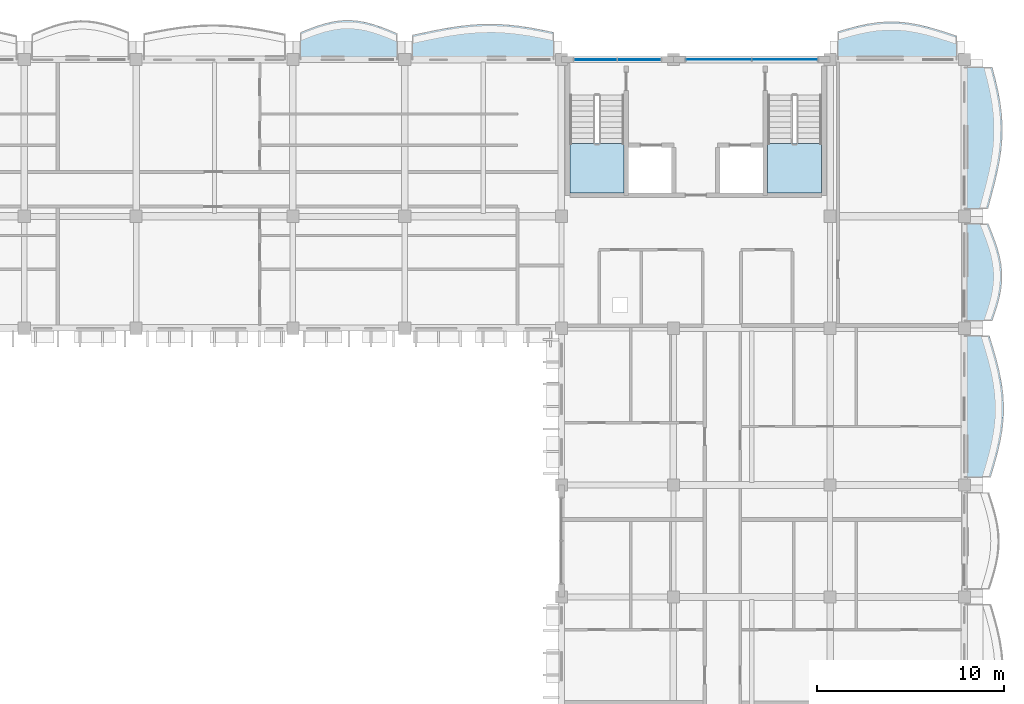
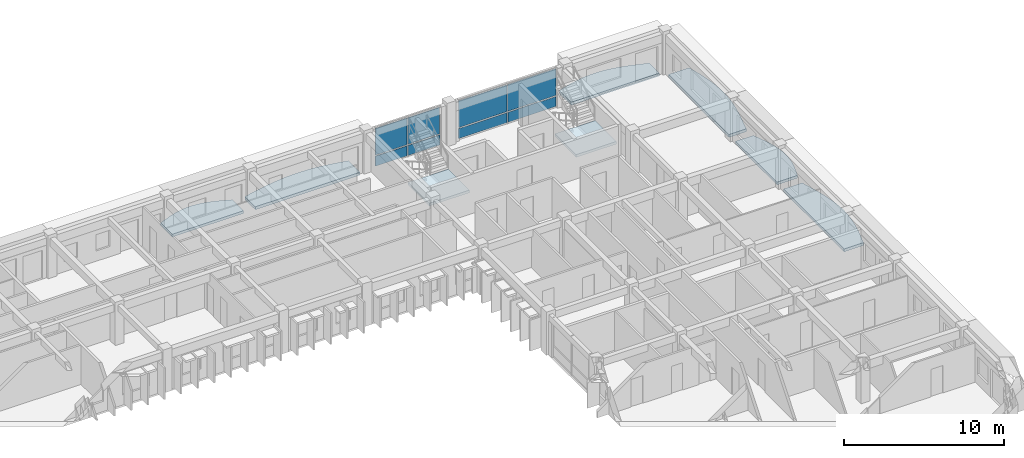
# One storey, part 22 of 76: 8 plates, 8 slabs, 4 elements without a shape of their own.
"""IFC4 building model written with IfcOpenShell, lengths in metres."""

from ifc_helpers import new_model, si_unit, direction, frame, origin, origin_2d, place, context, subcontext, project, spatial, polyline, rectangle, outline, extrude, material, layer, layer_set, type_object, element, aggregate, save


model = new_model("IFC4")

# Units and contexts
model_context = context("Model", 3, precision=1e-05, world=origin(), true_north=direction((0.0, 1.0)))
body_context = subcontext(model_context, "Body", "Model", "MODEL_VIEW")
ifc_project = project(units=[si_unit("LENGTHUNIT", "METRE"), si_unit("AREAUNIT", "SQUARE_METRE"), si_unit("VOLUMEUNIT", "CUBIC_METRE"), si_unit("PLANEANGLEUNIT", "RADIAN"), si_unit("MASSUNIT", "GRAM", prefix="KILO"), si_unit("THERMODYNAMICTEMPERATUREUNIT", "KELVIN")], contexts=[model_context])

# Site, building, storey
site_placement = place(None, origin())
site = spatial("IfcSite", under=ifc_project, at=site_placement, CompositionType="ELEMENT")
building_placement = place(site_placement, origin())
building = spatial("IfcBuilding", under=site, at=building_placement, Name="Thalorik Housing Commons", CompositionType="ELEMENT")
storey_placement = place(building_placement, frame((0.0, 0.0, 18.0)))
storey = spatial("IfcBuildingStorey", under=building, at=storey_placement, Name="L05", CompositionType="ELEMENT", Elevation=18.0)

# Curtain wall, plates
ifc_material_1 = material(Name="Anodised aluminium and solar-control low-E glass", Category="aluminium")
curtain_wall_type = type_object("IfcCurtainWallType", Name="ARC-CW-CORE", PredefinedType="USERDEFINED", material=ifc_material_1)
curtain_wall_1_placement = place(storey_placement, origin())
curtain_wall_1 = element("IfcCurtainWall", 1, at=curtain_wall_1_placement, inside=storey, type_object=curtain_wall_type, Name="L05 Curtain Wall CW-CORE-L05-B-092", ObjectType="CURTAIN WALL", PredefinedType="USERDEFINED")
ifc_material_2 = material(Name="Cobalt blue enamelled aluminium spandrel panel", Category="aluminium")
ifc_layer_1 = layer(ifc_material_2, 0.0458984375, Name="Cobalt blue enamelled aluminium spandrel panel", Category="aluminium")
ifc_layer_set_1 = layer_set([ifc_layer_1], Name="Cobalt blue enamelled aluminium spandrel panel")
plate_type_1 = type_object("IfcPlateType", Name="ARC-CP-BLU-46", PredefinedType="CURTAIN_PANEL", material=ifc_layer_set_1)
plate_1_placement = place(storey_placement, frame((164.375, 123.60009765625, 0.080078125), z_axis=(0.0, 0.0, 1.0), x_axis=(-1.0, 0.0, 0.0)))
plate_1 = element("IfcPlate", 2, at=plate_1_placement, type_object=plate_type_1, Name="CW-CORE-L05-B-092 Spandrel Panel 1", PredefinedType="CURTAIN_PANEL", context=body_context, shape_type="SweptSolid", body=[
    extrude(rectangle(XDim=3.489990234375, YDim=0.0458984375, at=origin_2d()), origin(), (0.0, 0.0, 1.0), 0.760009765625),
])
plate_2_placement = place(storey_placement, frame((160.824951171875, 123.60009765625, 0.080078125), z_axis=(0.0, 0.0, 1.0), x_axis=(-1.0, 0.0, 0.0)))
plate_2 = element("IfcPlate", 3, at=plate_2_placement, type_object=plate_type_1, Name="CW-CORE-L05-B-092 Spandrel Panel 2", PredefinedType="CURTAIN_PANEL", context=body_context, shape_type="SweptSolid", body=[
    extrude(rectangle(XDim=3.489990234375, YDim=0.0458984375, at=origin_2d()), origin(), (0.0, 0.0, 1.0), 0.760009765625),
])
ifc_material_3 = material(Name="Double solar-control low-E glass", Category="glass")
ifc_layer_2 = layer(ifc_material_3, 0.028076171875, Name="Double solar-control low-E glass", Category="glass")
ifc_layer_set_2 = layer_set([ifc_layer_2], Name="Double solar-control low-E glass")
plate_type_2 = type_object("IfcPlateType", Name="ARC-CP-GLZ-28", PredefinedType="CURTAIN_PANEL", material=ifc_layer_set_2)
plate_3_placement = place(storey_placement, frame((164.375, 123.60009765625, 0.919921875), z_axis=(0.0, 0.0, 1.0), x_axis=(-1.0, 0.0, 0.0)))
plate_3 = element("IfcPlate", 4, at=plate_3_placement, type_object=plate_type_2, Name="CW-CORE-L05-B-092 Vision Panel 1", PredefinedType="CURTAIN_PANEL", context=body_context, shape_type="SweptSolid", body=[
    extrude(rectangle(XDim=3.489990234375, YDim=0.028076171875, at=origin_2d()), origin(), (0.0, 0.0, 1.0), 2.0400390625),
])
plate_4_placement = place(storey_placement, frame((160.824951171875, 123.60009765625, 0.919921875), z_axis=(0.0, 0.0, 1.0), x_axis=(-1.0, 0.0, 0.0)))
plate_4 = element("IfcPlate", 5, at=plate_4_placement, type_object=plate_type_2, Name="CW-CORE-L05-B-092 Vision Panel 2", PredefinedType="CURTAIN_PANEL", context=body_context, shape_type="SweptSolid", body=[
    extrude(rectangle(XDim=3.489990234375, YDim=0.028076171875, at=origin_2d()), origin(), (0.0, 0.0, 1.0), 2.0400390625),
])
aggregate(curtain_wall_1, [plate_1, plate_3, plate_2, plate_4])

curtain_wall_2_placement = place(storey_placement, origin())
curtain_wall_2 = element("IfcCurtainWall", 6, at=curtain_wall_2_placement, inside=storey, type_object=curtain_wall_type, Name="L05 Curtain Wall CW-CORE-L05-B-093", ObjectType="CURTAIN WALL", PredefinedType="USERDEFINED")
plate_5_placement = place(storey_placement, frame((156.574951171875, 123.60009765625, 0.919921875), z_axis=(0.0, 0.0, 1.0), x_axis=(-1.0, 0.0, 0.0)))
plate_5 = element("IfcPlate", 7, at=plate_5_placement, type_object=plate_type_2, Name="CW-CORE-L05-B-093 Vision Panel 1", PredefinedType="CURTAIN_PANEL", context=body_context, shape_type="SweptSolid", body=[
    extrude(rectangle(XDim=2.2900390625, YDim=0.028076171875, at=origin_2d()), origin(), (0.0, 0.0, 1.0), 2.0400390625),
])
plate_6_placement = place(storey_placement, frame((154.22509765625, 123.60009765625, 0.919921875), z_axis=(0.0, 0.0, 1.0), x_axis=(-1.0, 0.0, 0.0)))
plate_6 = element("IfcPlate", 8, at=plate_6_placement, type_object=plate_type_2, Name="CW-CORE-L05-B-093 Vision Panel 2", PredefinedType="CURTAIN_PANEL", context=body_context, shape_type="SweptSolid", body=[
    extrude(rectangle(XDim=2.2900390625, YDim=0.028076171875, at=origin_2d()), origin(), (0.0, 0.0, 1.0), 2.0400390625),
])
ifc_material_4 = material(Name="Mineral ochre yellow aluminium spandrel panel", Category="aluminium")
ifc_layer_3 = layer(ifc_material_4, 0.050048828125, Name="Mineral ochre yellow aluminium spandrel panel", Category="aluminium")
ifc_layer_set_3 = layer_set([ifc_layer_3], Name="Mineral ochre yellow aluminium spandrel panel")
plate_type_3 = type_object("IfcPlateType", Name="ARC-CP-YEL-50", PredefinedType="CURTAIN_PANEL", material=ifc_layer_set_3)
plate_7_placement = place(storey_placement, frame((156.574951171875, 123.60009765625, 0.080078125), z_axis=(0.0, 0.0, 1.0), x_axis=(-1.0, 0.0, 0.0)))
plate_7 = element("IfcPlate", 9, at=plate_7_placement, type_object=plate_type_3, Name="CW-CORE-L05-B-093 Spandrel Panel 1", PredefinedType="CURTAIN_PANEL", context=body_context, shape_type="SweptSolid", body=[
    extrude(rectangle(XDim=2.2900390625, YDim=0.050048828125, at=origin_2d()), origin(), (0.0, 0.0, 1.0), 0.760009765625),
])
plate_8_placement = place(storey_placement, frame((154.22509765625, 123.60009765625, 0.080078125), z_axis=(0.0, 0.0, 1.0), x_axis=(-1.0, 0.0, 0.0)))
plate_8 = element("IfcPlate", 10, at=plate_8_placement, type_object=plate_type_3, Name="CW-CORE-L05-B-093 Spandrel Panel 2", PredefinedType="CURTAIN_PANEL", context=body_context, shape_type="SweptSolid", body=[
    extrude(rectangle(XDim=2.2900390625, YDim=0.050048828125, at=origin_2d()), origin(), (0.0, 0.0, 1.0), 0.760009765625),
])
aggregate(curtain_wall_2, [plate_7, plate_5, plate_8, plate_6])

# Stair, slab
ifc_material_5 = material(Name="Precast concrete C40/50", Category="concrete")
stair_type = type_object("IfcStairType", Name="ARC-STR-1350-R20", PredefinedType="HALF_TURN_STAIR", material=ifc_material_5)
stair_1_placement = place(storey_placement, origin())
stair_1 = element("IfcStair", 11, at=stair_1_placement, inside=storey, type_object=stair_type, Name="L05 Block B Smoke-Proof Stair 1", PredefinedType="HALF_TURN_STAIR")
ifc_layer_4 = layer(ifc_material_5, 0.199951171875, Name="Precast concrete C40/50", Category="concrete")
ifc_layer_set_4 = layer_set([ifc_layer_4], Name="Precast concrete C40/50")
slab_type_1 = type_object("IfcSlabType", Name="ARC-SLB-STLND-200", PredefinedType="LANDING", material=ifc_layer_set_4)
slab_1_placement = place(storey_placement, frame((0.0, 0.0, 1.449951171875)))
slab_1 = element("IfcSlab", 12, at=slab_1_placement, type_object=slab_type_1, Name="ST-B1 landing 1", PredefinedType="LANDING", context=body_context, shape_type="SweptSolid", body=[
    extrude(outline(polyline([(152.85009765625, 119.090087890625), (152.85009765625, 116.449951171875), (155.75, 116.449951171875), (155.75, 119.090087890625), (152.85009765625, 119.090087890625)])), origin(), (0.0, 0.0, 1.0), 0.199951171875),
])
aggregate(stair_1, [slab_1])

stair_2_placement = place(storey_placement, origin())
stair_2 = element("IfcStair", 13, at=stair_2_placement, inside=storey, type_object=stair_type, Name="L05 Block B Smoke-Proof Stair 2", PredefinedType="HALF_TURN_STAIR")
slab_2_placement = place(storey_placement, frame((0.0, 0.0, 1.449951171875)))
slab_2 = element("IfcSlab", 14, at=slab_2_placement, type_object=slab_type_1, Name="ST-B2 landing 1", PredefinedType="LANDING", context=body_context, shape_type="SweptSolid", body=[
    extrude(outline(polyline([(163.449951171875, 119.090087890625), (163.449951171875, 116.449951171875), (166.35009765625, 116.449951171875), (166.35009765625, 119.090087890625), (163.449951171875, 119.090087890625)])), origin(), (0.0, 0.0, 1.0), 0.199951171875),
])
aggregate(stair_2, [slab_2])

# Slabs
ifc_layer_5 = layer(ifc_material_5, 0.199951171875, Name="Precast concrete C40/50", Category="concrete")
ifc_layer_set_5 = layer_set([ifc_layer_5], Name="Precast concrete C40/50")
slab_type_2 = type_object("IfcSlabType", Name="STR-SLB-BALC-200", PredefinedType="FLOOR", material=ifc_layer_set_5)
slab_3_placement = place(storey_placement, frame((0.0, 0.0, -0.199951171875)))
element("IfcSlab", 15, at=slab_3_placement, inside=storey, type_object=slab_type_2, Name="L05 Block B Cushion Balcony 160", PredefinedType="FLOOR", context=body_context, shape_type="SweptSolid", body=[
    extrude(outline(polyline([(138.419921875, 123.60009765625), (143.580078125, 123.60009765625), (143.580078125, 124.99072265625), (143.14990234375, 125.17041015625), (142.719970703125, 125.338134765625), (142.2900390625, 125.482421875), (141.860107421875, 125.5947265625), (141.429931640625, 125.667236328125), (141.0, 125.69580078125), (140.570068359375, 125.6787109375), (140.139892578125, 125.6171875), (139.7099609375, 125.515380859375), (139.280029296875, 125.380126953125), (138.85009765625, 125.22021484375), (138.419921875, 125.04638671875), (138.419921875, 123.60009765625)])), origin(), (0.0, 0.0, 1.0), 0.199951171875),
])
slab_4_placement = place(storey_placement, frame((0.0, 0.0, -0.199951171875)))
element("IfcSlab", 16, at=slab_4_placement, inside=storey, type_object=slab_type_2, Name="L05 Block B Cushion Balcony 163", PredefinedType="FLOOR", context=body_context, shape_type="SweptSolid", body=[
    extrude(outline(polyline([(175.482177734375, 109.6201171875), (175.631591796875, 110.050048828125), (175.766845703125, 110.47998046875), (175.877685546875, 110.909912109375), (175.956787109375, 111.340087890625), (175.997314453125, 111.77001953125), (175.99658203125, 112.199951171875), (175.953369140625, 112.6298828125), (175.8701171875, 113.06005859375), (175.751953125, 113.489990234375), (175.60595703125, 113.919921875), (175.44140625, 114.35009765625), (175.269287109375, 114.780029296875), (174.0, 114.780029296875), (174.0, 109.6201171875), (175.482177734375, 109.6201171875)])), origin(), (0.0, 0.0, 1.0), 0.199951171875),
])
ifc_layer_6 = layer(ifc_material_5, 0.219970703125, Name="Precast concrete C40/50", Category="concrete")
ifc_layer_set_6 = layer_set([ifc_layer_6], Name="Precast concrete C40/50")
slab_type_3 = type_object("IfcSlabType", Name="STR-SLB-BALC-220", PredefinedType="FLOOR", material=ifc_layer_set_6)
slab_5_placement = place(storey_placement, frame((0.0, 0.0, -0.219970703125)))
element("IfcSlab", 17, at=slab_5_placement, inside=storey, type_object=slab_type_3, Name="L05 Block B Cushion Balcony 161", PredefinedType="FLOOR", context=body_context, shape_type="SweptSolid", body=[
    extrude(outline(polyline([(144.419921875, 123.60009765625), (151.97998046875, 123.60009765625), (151.97998046875, 125.048583984375), (151.35009765625, 125.179931640625), (150.719970703125, 125.296630859375), (150.090087890625, 125.390869140625), (149.4599609375, 125.456298828125), (148.830078125, 125.489013671875), (148.199951171875, 125.486572265625), (147.570068359375, 125.44970703125), (146.93994140625, 125.380615234375), (146.31005859375, 125.284423828125), (145.679931640625, 125.16748046875), (145.050048828125, 125.037841796875), (144.419921875, 124.904296875), (144.419921875, 123.60009765625)])), origin(), (0.0, 0.0, 1.0), 0.219970703125),
])
slab_6_placement = place(storey_placement, frame((0.0, 0.0, -0.219970703125)))
element("IfcSlab", 18, at=slab_6_placement, inside=storey, type_object=slab_type_3, Name="L05 Block B Cushion Balcony 162", PredefinedType="FLOOR", context=body_context, shape_type="SweptSolid", body=[
    extrude(outline(polyline([(167.219970703125, 123.60009765625), (173.580078125, 123.60009765625), (173.580078125, 124.861572265625), (173.050048828125, 125.03466796875), (172.52001953125, 125.20166015625), (171.989990234375, 125.351806640625), (171.4599609375, 125.475341796875), (170.929931640625, 125.563720703125), (170.39990234375, 125.61181640625), (169.8701171875, 125.616455078125), (169.340087890625, 125.577880859375), (168.81005859375, 125.498779296875), (168.280029296875, 125.38525390625), (167.75, 125.2451171875), (167.219970703125, 125.087646484375), (167.219970703125, 123.60009765625)])), origin(), (0.0, 0.0, 1.0), 0.219970703125),
])
slab_7_placement = place(storey_placement, frame((0.0, 0.0, -0.219970703125)))
element("IfcSlab", 19, at=slab_7_placement, inside=storey, type_object=slab_type_3, Name="L05 Block B Cushion Balcony 164", PredefinedType="FLOOR", context=body_context, shape_type="SweptSolid", body=[
    extrude(outline(polyline([(175.251953125, 115.6201171875), (175.420654296875, 116.25), (175.586669921875, 116.8798828125), (175.73828125, 117.510009765625), (175.865234375, 118.139892578125), (175.95849609375, 118.77001953125), (176.01171875, 119.39990234375), (176.02099609375, 120.030029296875), (175.9853515625, 120.659912109375), (175.906982421875, 121.2900390625), (175.79150390625, 121.919921875), (175.64599609375, 122.550048828125), (175.481201171875, 123.179931640625), (174.0, 123.179931640625), (174.0, 115.6201171875), (175.251953125, 115.6201171875)])), origin(), (0.0, 0.0, 1.0), 0.219970703125),
])
slab_8_placement = place(storey_placement, frame((0.0, 0.0, -0.219970703125)))
element("IfcSlab", 20, at=slab_8_placement, inside=storey, type_object=slab_type_3, Name="L05 Block B Cushion Balcony 168", PredefinedType="FLOOR", context=body_context, shape_type="SweptSolid", body=[
    extrude(outline(polyline([(175.390625, 101.219970703125), (175.580078125, 101.85009765625), (175.754638671875, 102.47998046875), (175.90234375, 103.110107421875), (176.01318359375, 103.739990234375), (176.0791015625, 104.3701171875), (176.095947265625, 105.0), (176.0625, 105.6298828125), (175.98095703125, 106.260009765625), (175.857177734375, 106.889892578125), (175.69970703125, 107.52001953125), (175.51953125, 108.14990234375), (175.329345703125, 108.780029296875), (174.0, 108.780029296875), (174.0, 101.219970703125), (175.390625, 101.219970703125)])), origin(), (0.0, 0.0, 1.0), 0.219970703125),
])

save(model, "model.ifc")
